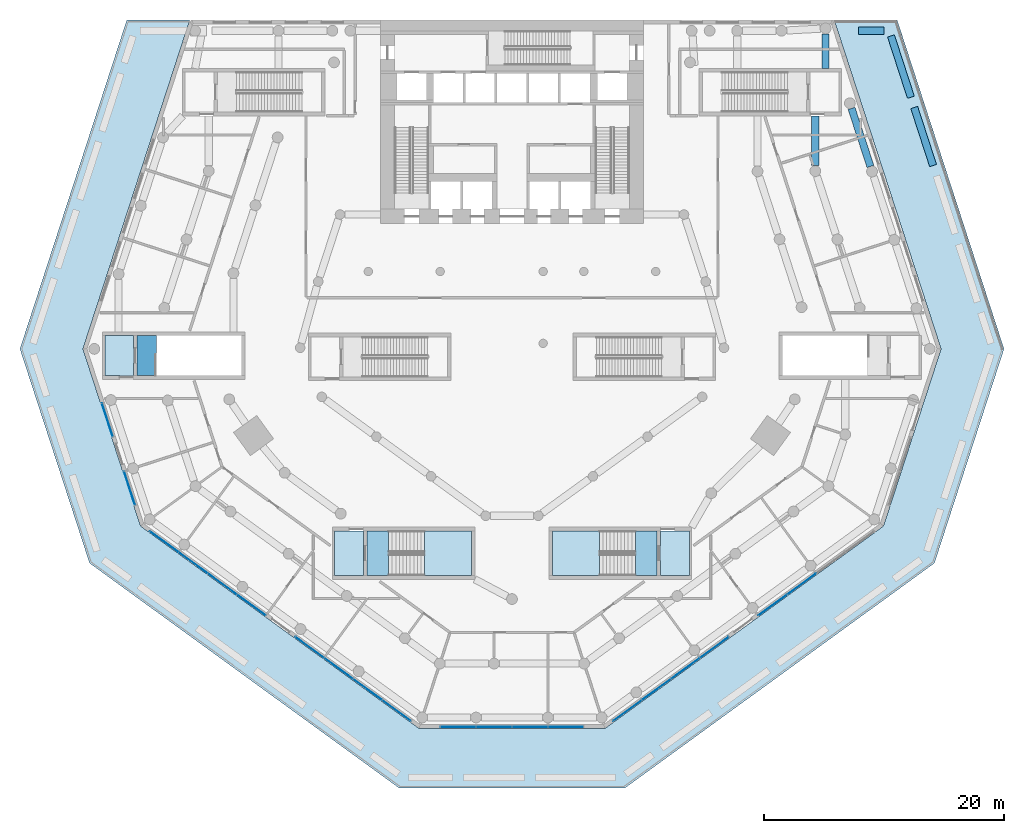
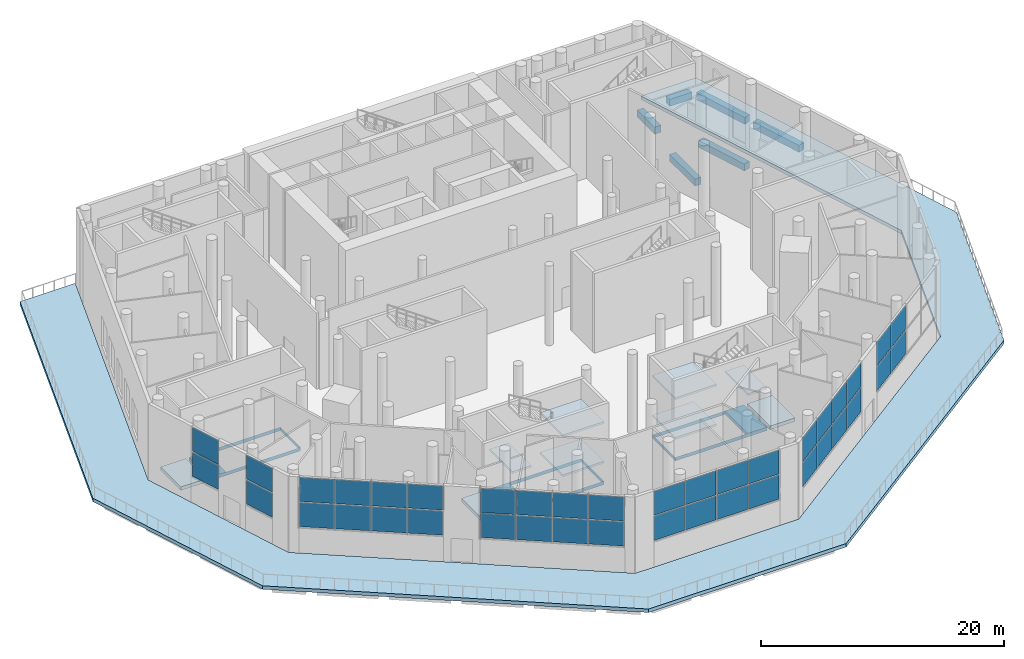
# One storey, part 9 of 23: 40 plates, 13 slabs, 6 beams, 9 elements without a shape of their own.
"""IFC4 building model written with IfcOpenShell, lengths in metres."""

from ifc_helpers import new_model, si_unit, direction, frame, origin, origin_2d, place, context, subcontext, project, spatial, polyline, rectangle, outline, extrude, material, layer, layer_set, material_profile, profile_set, type_object, element, aggregate, save


model = new_model("IFC4")

# Units and contexts
model_context = context("Model", 3, precision=1e-05, world=origin(), true_north=direction((0.0, 1.0)))
body_context = subcontext(model_context, "Body", "Model", "MODEL_VIEW")
ifc_project = project(units=[si_unit("LENGTHUNIT", "METRE"), si_unit("AREAUNIT", "SQUARE_METRE"), si_unit("VOLUMEUNIT", "CUBIC_METRE"), si_unit("PLANEANGLEUNIT", "RADIAN"), si_unit("MASSUNIT", "GRAM", prefix="KILO")], contexts=[model_context])

# Site, building, storey
site_placement = place(None, origin())
site = spatial("IfcSite", under=ifc_project, at=site_placement, CompositionType="ELEMENT")
building_placement = place(site_placement, origin())
building = spatial("IfcBuilding", under=site, at=building_placement, Name="White Candle Pilgrim Tower", CompositionType="ELEMENT")
storey_placement = place(building_placement, frame((0.0, 0.0, 15.0)))
storey = spatial("IfcBuildingStorey", under=building, at=storey_placement, Name="L02", CompositionType="ELEMENT", Elevation=15.0)

# Beams
ifc_material_1 = material(Name="Concrete C50/60", Category="concrete")
ifc_material_profile = material_profile(ifc_material_1, rectangle(XDim=0.60009765625, YDim=0.699951171875, at=origin_2d()), Name="RC-BM 600x700")
ifc_profile_set = profile_set([ifc_material_profile], Name="Concrete C50/60")
beam_type = type_object("IfcBeamType", Name="Spandrel beam RC-BM 600x700 C50/60", PredefinedType="BEAM", material=ifc_profile_set)
beam_1_placement = place(storey_placement, frame((105.159912109375, 75.845703125, -0.699951171875), z_axis=(-0.308995149369, 0.95106361389, 0.0), x_axis=(-0.95106361389, -0.308995149369, 0.0)))
element("IfcBeam", 1, at=beam_1_placement, inside=storey, type_object=beam_type, Name="L02 spandrel beam A25", PredefinedType="BEAM", context=body_context, shape_type="SweptSolid", body=[
    extrude(rectangle(XDim=0.60009765625, YDim=0.699951171875, at=origin_2d()), origin(), (0.0, 0.0, 1.0), 5.10009765625),
])
beam_2_placement = place(storey_placement, frame((103.305908203125, 81.5517578125, -0.699951171875), z_axis=(-0.308871752851, 0.951103695866, 0.0), x_axis=(-0.951103695866, -0.308871752851, 0.0)))
element("IfcBeam", 2, at=beam_2_placement, inside=storey, type_object=beam_type, Name="L02 spandrel beam A26", PredefinedType="BEAM", context=body_context, shape_type="SweptSolid", body=[
    extrude(rectangle(XDim=0.60009765625, YDim=0.699951171875, at=origin_2d()), origin(), (0.0, 0.0, 1.0), 5.383544921875),
])
beam_3_placement = place(storey_placement, frame((99.926025390625, 75.773681640625, -0.699951171875), z_axis=(-0.308995149369, 0.95106361389, 0.0), x_axis=(-0.95106361389, -0.308995149369, 0.0)))
element("IfcBeam", 3, at=beam_3_placement, inside=storey, type_object=beam_type, Name="L02 spandrel beam B21", PredefinedType="BEAM", context=body_context, shape_type="SweptSolid", body=[
    extrude(rectangle(XDim=0.60009765625, YDim=0.699951171875, at=origin_2d()), origin(), (0.0, 0.0, 1.0), 5.10009765625),
])
beam_4_placement = place(storey_placement, frame((96.180908203125, 86.85009765625, -0.699951171875), z_axis=(0.0, -1.0, 0.0), x_axis=(1.0, 0.0, 0.0)))
element("IfcBeam", 4, at=beam_4_placement, inside=storey, type_object=beam_type, Name="L02 spandrel beam B22", PredefinedType="BEAM", context=body_context, shape_type="SweptSolid", body=[
    extrude(rectangle(XDim=0.60009765625, YDim=0.699951171875, at=origin_2d()), origin(), (0.0, 0.0, 1.0), 2.900146484375),
])
beam_5_placement = place(storey_placement, frame((95.322021484375, 75.83203125, -0.699951171875), z_axis=(0.0, 1.0, 0.0), x_axis=(-1.0, 0.0, 0.0)))
element("IfcBeam", 5, at=beam_5_placement, inside=storey, type_object=beam_type, Name="L02 spandrel beam C18", PredefinedType="BEAM", context=body_context, shape_type="SweptSolid", body=[
    extrude(rectangle(XDim=0.60009765625, YDim=0.699951171875, at=origin_2d()), origin(), (0.0, 0.0, 1.0), 4.16796875),
])
beam_6_placement = place(storey_placement, frame((98.949951171875, 87.10009765625, -0.699951171875), z_axis=(1.0, 0.0, 0.0), x_axis=(0.0, 1.0, 0.0)))
element("IfcBeam", 6, at=beam_6_placement, inside=storey, type_object=beam_type, Name="L02 spandrel beam N08", PredefinedType="BEAM", context=body_context, shape_type="SweptSolid", body=[
    extrude(rectangle(XDim=0.60009765625, YDim=0.699951171875, at=origin_2d()), origin(), (0.0, 0.0, 1.0), 2.10400390625),
])

# Curtain wall, plates
ifc_material_2 = material(Name="Aluminium and glass", Category="aluminium")
curtain_wall_type = type_object("IfcCurtainWallType", Name="Curtain wall CW2 prayer hall clerestory", PredefinedType="NOTDEFINED", material=ifc_material_2)
curtain_wall_1_placement = place(storey_placement, origin())
curtain_wall_1 = element("IfcCurtainWall", 7, at=curtain_wall_1_placement, inside=storey, type_object=curtain_wall_type, Name="Curtain wall CW2 L02 W chamfer", PredefinedType="NOTDEFINED")
ifc_material_3 = material(Name="Glass, triple glazed", Category="glass")
ifc_layer_1 = layer(ifc_material_3, 0.035888671875)
ifc_layer_set_1 = layer_set([ifc_layer_1], Name="CW2 glazing panel 36")
plate_type = type_object("IfcPlateType", Name="CW2 glazing panel 36", PredefinedType="CURTAIN_PANEL", material=ifc_layer_set_1)
plate_1_placement = place(storey_placement, frame((36.21240234375, 54.598876953125, 2.60009765625), z_axis=(0.0, 0.0, 1.0), x_axis=(0.309017000251, -0.951056514386, 0.0)))
plate_1 = element("IfcPlate", 8, at=plate_1_placement, type_object=plate_type, Name="CW2 panel 1.1", PredefinedType="CURTAIN_PANEL", context=body_context, shape_type="SweptSolid", body=[
    extrude(rectangle(XDim=2.89990234375, YDim=0.035888671875, at=origin_2d()), origin(), (0.0, 0.0, 1.0), 2.425048828125),
])
plate_2_placement = place(storey_placement, frame((36.21240234375, 54.598876953125, 5.125), z_axis=(0.0, 0.0, 1.0), x_axis=(0.309017000251, -0.951056514386, 0.0)))
plate_2 = element("IfcPlate", 9, at=plate_2_placement, type_object=plate_type, Name="CW2 panel 1.2", PredefinedType="CURTAIN_PANEL", context=body_context, shape_type="SweptSolid", body=[
    extrude(rectangle(XDim=2.89990234375, YDim=0.035888671875, at=origin_2d()), origin(), (0.0, 0.0, 1.0), 2.425048828125),
])
aggregate(curtain_wall_1, [plate_1, plate_2])

curtain_wall_2_placement = place(storey_placement, origin())
curtain_wall_2 = element("IfcCurtainWall", 10, at=curtain_wall_2_placement, inside=storey, type_object=curtain_wall_type, Name="Curtain wall CW2 L02 W chamfer", PredefinedType="NOTDEFINED")
plate_3_placement = place(storey_placement, frame((38.066650390625, 48.892578125, 2.60009765625), z_axis=(0.0, 0.0, 1.0), x_axis=(0.309017000035, -0.951056514456, 0.0)))
plate_3 = element("IfcPlate", 11, at=plate_3_placement, type_object=plate_type, Name="CW2 panel 1.1", PredefinedType="CURTAIN_PANEL", context=body_context, shape_type="SweptSolid", body=[
    extrude(rectangle(XDim=2.89990234375, YDim=0.035888671875, at=origin_2d()), origin(), (0.0, 0.0, 1.0), 2.425048828125),
])
plate_4_placement = place(storey_placement, frame((38.066650390625, 48.892578125, 5.125), z_axis=(0.0, 0.0, 1.0), x_axis=(0.309017000035, -0.951056514456, 0.0)))
plate_4 = element("IfcPlate", 12, at=plate_4_placement, type_object=plate_type, Name="CW2 panel 1.2", PredefinedType="CURTAIN_PANEL", context=body_context, shape_type="SweptSolid", body=[
    extrude(rectangle(XDim=2.89990234375, YDim=0.035888671875, at=origin_2d()), origin(), (0.0, 0.0, 1.0), 2.425048828125),
])
aggregate(curtain_wall_2, [plate_3, plate_4])

curtain_wall_3_placement = place(storey_placement, origin())
curtain_wall_3 = element("IfcCurtainWall", 13, at=curtain_wall_3_placement, inside=storey, type_object=curtain_wall_type, Name="Curtain wall CW2 L02 SW", PredefinedType="NOTDEFINED")
plate_5_placement = place(storey_placement, frame((40.9638671875, 44.429443359375, 2.60009765625), z_axis=(0.0, 0.0, 1.0), x_axis=(0.809016996478, -0.587785249398, 0.0)))
plate_5 = element("IfcPlate", 14, at=plate_5_placement, type_object=plate_type, Name="CW2 panel 1.1", PredefinedType="CURTAIN_PANEL", context=body_context, shape_type="SweptSolid", body=[
    extrude(rectangle(XDim=2.925048828125, YDim=0.035888671875, at=origin_2d()), origin(), (0.0, 0.0, 1.0), 2.425048828125),
])
plate_6_placement = place(storey_placement, frame((40.9638671875, 44.429443359375, 5.125), z_axis=(0.0, 0.0, 1.0), x_axis=(0.809016996478, -0.587785249398, 0.0)))
plate_6 = element("IfcPlate", 15, at=plate_6_placement, type_object=plate_type, Name="CW2 panel 1.2", PredefinedType="CURTAIN_PANEL", context=body_context, shape_type="SweptSolid", body=[
    extrude(rectangle(XDim=2.925048828125, YDim=0.035888671875, at=origin_2d()), origin(), (0.0, 0.0, 1.0), 2.425048828125),
])
plate_7_placement = place(storey_placement, frame((43.380615234375, 42.67333984375, 2.60009765625), z_axis=(0.0, 0.0, 1.0), x_axis=(0.809016996478, -0.587785249398, 0.0)))
plate_7 = element("IfcPlate", 16, at=plate_7_placement, type_object=plate_type, Name="CW2 panel 2.1", PredefinedType="CURTAIN_PANEL", context=body_context, shape_type="SweptSolid", body=[
    extrude(rectangle(XDim=2.949951171875, YDim=0.035888671875, at=origin_2d()), origin(), (0.0, 0.0, 1.0), 2.425048828125),
])
plate_8_placement = place(storey_placement, frame((43.380615234375, 42.67333984375, 5.125), z_axis=(0.0, 0.0, 1.0), x_axis=(0.809016996478, -0.587785249398, 0.0)))
plate_8 = element("IfcPlate", 17, at=plate_8_placement, type_object=plate_type, Name="CW2 panel 2.2", PredefinedType="CURTAIN_PANEL", context=body_context, shape_type="SweptSolid", body=[
    extrude(rectangle(XDim=2.949951171875, YDim=0.035888671875, at=origin_2d()), origin(), (0.0, 0.0, 1.0), 2.425048828125),
])
plate_9_placement = place(storey_placement, frame((45.807861328125, 40.91015625, 2.60009765625), z_axis=(0.0, 0.0, 1.0), x_axis=(0.809016996478, -0.587785249398, 0.0)))
plate_9 = element("IfcPlate", 18, at=plate_9_placement, type_object=plate_type, Name="CW2 panel 3.1", PredefinedType="CURTAIN_PANEL", context=body_context, shape_type="SweptSolid", body=[
    extrude(rectangle(XDim=2.949951171875, YDim=0.035888671875, at=origin_2d()), origin(), (0.0, 0.0, 1.0), 2.425048828125),
])
plate_10_placement = place(storey_placement, frame((45.807861328125, 40.91015625, 5.125), z_axis=(0.0, 0.0, 1.0), x_axis=(0.809016996478, -0.587785249398, 0.0)))
plate_10 = element("IfcPlate", 19, at=plate_10_placement, type_object=plate_type, Name="CW2 panel 3.2", PredefinedType="CURTAIN_PANEL", context=body_context, shape_type="SweptSolid", body=[
    extrude(rectangle(XDim=2.949951171875, YDim=0.035888671875, at=origin_2d()), origin(), (0.0, 0.0, 1.0), 2.425048828125),
])
plate_11_placement = place(storey_placement, frame((48.224609375, 39.154052734375, 2.60009765625), z_axis=(0.0, 0.0, 1.0), x_axis=(0.809016996478, -0.587785249398, 0.0)))
plate_11 = element("IfcPlate", 20, at=plate_11_placement, type_object=plate_type, Name="CW2 panel 4.1", PredefinedType="CURTAIN_PANEL", context=body_context, shape_type="SweptSolid", body=[
    extrude(rectangle(XDim=2.925048828125, YDim=0.035888671875, at=origin_2d()), origin(), (0.0, 0.0, 1.0), 2.425048828125),
])
plate_12_placement = place(storey_placement, frame((48.224609375, 39.154052734375, 5.125), z_axis=(0.0, 0.0, 1.0), x_axis=(0.809016996478, -0.587785249398, 0.0)))
plate_12 = element("IfcPlate", 21, at=plate_12_placement, type_object=plate_type, Name="CW2 panel 4.2", PredefinedType="CURTAIN_PANEL", context=body_context, shape_type="SweptSolid", body=[
    extrude(rectangle(XDim=2.925048828125, YDim=0.035888671875, at=origin_2d()), origin(), (0.0, 0.0, 1.0), 2.425048828125),
])
aggregate(curtain_wall_3, [plate_5, plate_6, plate_7, plate_8, plate_9, plate_10, plate_11, plate_12])

curtain_wall_4_placement = place(storey_placement, origin())
curtain_wall_4 = element("IfcCurtainWall", 22, at=curtain_wall_4_placement, inside=storey, type_object=curtain_wall_type, Name="Curtain wall CW2 L02 SW", PredefinedType="NOTDEFINED")
plate_13_placement = place(storey_placement, frame((53.09912109375, 35.612548828125, 2.60009765625), z_axis=(0.0, 0.0, 1.0), x_axis=(0.809016996519, -0.587785249341, 0.0)))
plate_13 = element("IfcPlate", 23, at=plate_13_placement, type_object=plate_type, Name="CW2 panel 1.1", PredefinedType="CURTAIN_PANEL", context=body_context, shape_type="SweptSolid", body=[
    extrude(rectangle(XDim=2.925048828125, YDim=0.035888671875, at=origin_2d()), origin(), (0.0, 0.0, 1.0), 2.425048828125),
])
plate_14_placement = place(storey_placement, frame((53.09912109375, 35.612548828125, 5.125), z_axis=(0.0, 0.0, 1.0), x_axis=(0.809016996519, -0.587785249341, 0.0)))
plate_14 = element("IfcPlate", 24, at=plate_14_placement, type_object=plate_type, Name="CW2 panel 1.2", PredefinedType="CURTAIN_PANEL", context=body_context, shape_type="SweptSolid", body=[
    extrude(rectangle(XDim=2.925048828125, YDim=0.035888671875, at=origin_2d()), origin(), (0.0, 0.0, 1.0), 2.425048828125),
])
plate_15_placement = place(storey_placement, frame((55.515869140625, 33.856689453125, 2.60009765625), z_axis=(0.0, 0.0, 1.0), x_axis=(0.809016996519, -0.587785249341, 0.0)))
plate_15 = element("IfcPlate", 25, at=plate_15_placement, type_object=plate_type, Name="CW2 panel 2.1", PredefinedType="CURTAIN_PANEL", context=body_context, shape_type="SweptSolid", body=[
    extrude(rectangle(XDim=2.949951171875, YDim=0.035888671875, at=origin_2d()), origin(), (0.0, 0.0, 1.0), 2.425048828125),
])
plate_16_placement = place(storey_placement, frame((55.515869140625, 33.856689453125, 5.125), z_axis=(0.0, 0.0, 1.0), x_axis=(0.809016996519, -0.587785249341, 0.0)))
plate_16 = element("IfcPlate", 26, at=plate_16_placement, type_object=plate_type, Name="CW2 panel 2.2", PredefinedType="CURTAIN_PANEL", context=body_context, shape_type="SweptSolid", body=[
    extrude(rectangle(XDim=2.949951171875, YDim=0.035888671875, at=origin_2d()), origin(), (0.0, 0.0, 1.0), 2.425048828125),
])
plate_17_placement = place(storey_placement, frame((57.943115234375, 32.09326171875, 2.60009765625), z_axis=(0.0, 0.0, 1.0), x_axis=(0.809016996519, -0.587785249341, 0.0)))
plate_17 = element("IfcPlate", 27, at=plate_17_placement, type_object=plate_type, Name="CW2 panel 3.1", PredefinedType="CURTAIN_PANEL", context=body_context, shape_type="SweptSolid", body=[
    extrude(rectangle(XDim=2.949951171875, YDim=0.035888671875, at=origin_2d()), origin(), (0.0, 0.0, 1.0), 2.425048828125),
])
plate_18_placement = place(storey_placement, frame((57.943115234375, 32.09326171875, 5.125), z_axis=(0.0, 0.0, 1.0), x_axis=(0.809016996519, -0.587785249341, 0.0)))
plate_18 = element("IfcPlate", 28, at=plate_18_placement, type_object=plate_type, Name="CW2 panel 3.2", PredefinedType="CURTAIN_PANEL", context=body_context, shape_type="SweptSolid", body=[
    extrude(rectangle(XDim=2.949951171875, YDim=0.035888671875, at=origin_2d()), origin(), (0.0, 0.0, 1.0), 2.425048828125),
])
plate_19_placement = place(storey_placement, frame((60.35986328125, 30.337158203125, 2.60009765625), z_axis=(0.0, 0.0, 1.0), x_axis=(0.809016996519, -0.587785249341, 0.0)))
plate_19 = element("IfcPlate", 29, at=plate_19_placement, type_object=plate_type, Name="CW2 panel 4.1", PredefinedType="CURTAIN_PANEL", context=body_context, shape_type="SweptSolid", body=[
    extrude(rectangle(XDim=2.925048828125, YDim=0.035888671875, at=origin_2d()), origin(), (0.0, 0.0, 1.0), 2.425048828125),
])
plate_20_placement = place(storey_placement, frame((60.35986328125, 30.337158203125, 5.125), z_axis=(0.0, 0.0, 1.0), x_axis=(0.809016996519, -0.587785249341, 0.0)))
plate_20 = element("IfcPlate", 30, at=plate_20_placement, type_object=plate_type, Name="CW2 panel 4.2", PredefinedType="CURTAIN_PANEL", context=body_context, shape_type="SweptSolid", body=[
    extrude(rectangle(XDim=2.925048828125, YDim=0.035888671875, at=origin_2d()), origin(), (0.0, 0.0, 1.0), 2.425048828125),
])
aggregate(curtain_wall_4, [plate_13, plate_14, plate_15, plate_16, plate_17, plate_18, plate_19, plate_20])

curtain_wall_5_placement = place(storey_placement, origin())
curtain_wall_5 = element("IfcCurtainWall", 31, at=curtain_wall_5_placement, inside=storey, type_object=curtain_wall_type, Name="Curtain wall CW2 L02 S chamfer", PredefinedType="NOTDEFINED")
plate_21_placement = place(storey_placement, frame((65.512451171875, 28.961181640625, 2.60009765625), z_axis=(0.0, 0.0, 1.0), x_axis=(1.0, 0.0, 0.0)))
plate_21 = element("IfcPlate", 32, at=plate_21_placement, type_object=plate_type, Name="CW2 panel 1.1", PredefinedType="CURTAIN_PANEL", context=body_context, shape_type="SweptSolid", body=[
    extrude(rectangle(XDim=2.925048828125, YDim=0.035888671875, at=origin_2d()), origin(), (0.0, 0.0, 1.0), 2.425048828125),
])
plate_22_placement = place(storey_placement, frame((65.512451171875, 28.961181640625, 5.125), z_axis=(0.0, 0.0, 1.0), x_axis=(1.0, 0.0, 0.0)))
plate_22 = element("IfcPlate", 33, at=plate_22_placement, type_object=plate_type, Name="CW2 panel 1.2", PredefinedType="CURTAIN_PANEL", context=body_context, shape_type="SweptSolid", body=[
    extrude(rectangle(XDim=2.925048828125, YDim=0.035888671875, at=origin_2d()), origin(), (0.0, 0.0, 1.0), 2.425048828125),
])
plate_23_placement = place(storey_placement, frame((68.5, 28.961181640625, 2.60009765625), z_axis=(0.0, 0.0, 1.0), x_axis=(1.0, 0.0, 0.0)))
plate_23 = element("IfcPlate", 34, at=plate_23_placement, type_object=plate_type, Name="CW2 panel 2.1", PredefinedType="CURTAIN_PANEL", context=body_context, shape_type="SweptSolid", body=[
    extrude(rectangle(XDim=2.949951171875, YDim=0.035888671875, at=origin_2d()), origin(), (0.0, 0.0, 1.0), 2.425048828125),
])
plate_24_placement = place(storey_placement, frame((68.5, 28.961181640625, 5.125), z_axis=(0.0, 0.0, 1.0), x_axis=(1.0, 0.0, 0.0)))
plate_24 = element("IfcPlate", 35, at=plate_24_placement, type_object=plate_type, Name="CW2 panel 2.2", PredefinedType="CURTAIN_PANEL", context=body_context, shape_type="SweptSolid", body=[
    extrude(rectangle(XDim=2.949951171875, YDim=0.035888671875, at=origin_2d()), origin(), (0.0, 0.0, 1.0), 2.425048828125),
])
plate_25_placement = place(storey_placement, frame((71.5, 28.961181640625, 2.60009765625), z_axis=(0.0, 0.0, 1.0), x_axis=(1.0, 0.0, 0.0)))
plate_25 = element("IfcPlate", 36, at=plate_25_placement, type_object=plate_type, Name="CW2 panel 3.1", PredefinedType="CURTAIN_PANEL", context=body_context, shape_type="SweptSolid", body=[
    extrude(rectangle(XDim=2.949951171875, YDim=0.035888671875, at=origin_2d()), origin(), (0.0, 0.0, 1.0), 2.425048828125),
])
plate_26_placement = place(storey_placement, frame((71.5, 28.961181640625, 5.125), z_axis=(0.0, 0.0, 1.0), x_axis=(1.0, 0.0, 0.0)))
plate_26 = element("IfcPlate", 37, at=plate_26_placement, type_object=plate_type, Name="CW2 panel 3.2", PredefinedType="CURTAIN_PANEL", context=body_context, shape_type="SweptSolid", body=[
    extrude(rectangle(XDim=2.949951171875, YDim=0.035888671875, at=origin_2d()), origin(), (0.0, 0.0, 1.0), 2.425048828125),
])
plate_27_placement = place(storey_placement, frame((74.487548828125, 28.961181640625, 2.60009765625), z_axis=(0.0, 0.0, 1.0), x_axis=(1.0, 0.0, 0.0)))
plate_27 = element("IfcPlate", 38, at=plate_27_placement, type_object=plate_type, Name="CW2 panel 4.1", PredefinedType="CURTAIN_PANEL", context=body_context, shape_type="SweptSolid", body=[
    extrude(rectangle(XDim=2.925048828125, YDim=0.035888671875, at=origin_2d()), origin(), (0.0, 0.0, 1.0), 2.425048828125),
])
plate_28_placement = place(storey_placement, frame((74.487548828125, 28.961181640625, 5.125), z_axis=(0.0, 0.0, 1.0), x_axis=(1.0, 0.0, 0.0)))
plate_28 = element("IfcPlate", 39, at=plate_28_placement, type_object=plate_type, Name="CW2 panel 4.2", PredefinedType="CURTAIN_PANEL", context=body_context, shape_type="SweptSolid", body=[
    extrude(rectangle(XDim=2.925048828125, YDim=0.035888671875, at=origin_2d()), origin(), (0.0, 0.0, 1.0), 2.425048828125),
])
aggregate(curtain_wall_5, [plate_21, plate_22, plate_23, plate_24, plate_25, plate_26, plate_27, plate_28])

curtain_wall_6_placement = place(storey_placement, origin())
curtain_wall_6 = element("IfcCurtainWall", 40, at=curtain_wall_6_placement, inside=storey, type_object=curtain_wall_type, Name="Curtain wall CW2 L02 SE", PredefinedType="NOTDEFINED")
plate_29_placement = place(storey_placement, frame((79.64013671875, 30.337158203125, 2.60009765625), z_axis=(0.0, 0.0, 1.0), x_axis=(0.809016996478, 0.587785249398, 0.0)))
plate_29 = element("IfcPlate", 41, at=plate_29_placement, type_object=plate_type, Name="CW2 panel 1.1", PredefinedType="CURTAIN_PANEL", context=body_context, shape_type="SweptSolid", body=[
    extrude(rectangle(XDim=2.925048828125, YDim=0.035888671875, at=origin_2d()), origin(), (0.0, 0.0, 1.0), 2.425048828125),
])
plate_30_placement = place(storey_placement, frame((79.64013671875, 30.337158203125, 5.125), z_axis=(0.0, 0.0, 1.0), x_axis=(0.809016996478, 0.587785249398, 0.0)))
plate_30 = element("IfcPlate", 42, at=plate_30_placement, type_object=plate_type, Name="CW2 panel 1.2", PredefinedType="CURTAIN_PANEL", context=body_context, shape_type="SweptSolid", body=[
    extrude(rectangle(XDim=2.925048828125, YDim=0.035888671875, at=origin_2d()), origin(), (0.0, 0.0, 1.0), 2.425048828125),
])
plate_31_placement = place(storey_placement, frame((82.056884765625, 32.09326171875, 2.60009765625), z_axis=(0.0, 0.0, 1.0), x_axis=(0.809016996478, 0.587785249398, 0.0)))
plate_31 = element("IfcPlate", 43, at=plate_31_placement, type_object=plate_type, Name="CW2 panel 2.1", PredefinedType="CURTAIN_PANEL", context=body_context, shape_type="SweptSolid", body=[
    extrude(rectangle(XDim=2.949951171875, YDim=0.035888671875, at=origin_2d()), origin(), (0.0, 0.0, 1.0), 2.425048828125),
])
plate_32_placement = place(storey_placement, frame((82.056884765625, 32.09326171875, 5.125), z_axis=(0.0, 0.0, 1.0), x_axis=(0.809016996478, 0.587785249398, 0.0)))
plate_32 = element("IfcPlate", 44, at=plate_32_placement, type_object=plate_type, Name="CW2 panel 2.2", PredefinedType="CURTAIN_PANEL", context=body_context, shape_type="SweptSolid", body=[
    extrude(rectangle(XDim=2.949951171875, YDim=0.035888671875, at=origin_2d()), origin(), (0.0, 0.0, 1.0), 2.425048828125),
])
plate_33_placement = place(storey_placement, frame((84.484130859375, 33.856689453125, 2.60009765625), z_axis=(0.0, 0.0, 1.0), x_axis=(0.809016996478, 0.587785249398, 0.0)))
plate_33 = element("IfcPlate", 45, at=plate_33_placement, type_object=plate_type, Name="CW2 panel 3.1", PredefinedType="CURTAIN_PANEL", context=body_context, shape_type="SweptSolid", body=[
    extrude(rectangle(XDim=2.949951171875, YDim=0.035888671875, at=origin_2d()), origin(), (0.0, 0.0, 1.0), 2.425048828125),
])
plate_34_placement = place(storey_placement, frame((84.484130859375, 33.856689453125, 5.125), z_axis=(0.0, 0.0, 1.0), x_axis=(0.809016996478, 0.587785249398, 0.0)))
plate_34 = element("IfcPlate", 46, at=plate_34_placement, type_object=plate_type, Name="CW2 panel 3.2", PredefinedType="CURTAIN_PANEL", context=body_context, shape_type="SweptSolid", body=[
    extrude(rectangle(XDim=2.949951171875, YDim=0.035888671875, at=origin_2d()), origin(), (0.0, 0.0, 1.0), 2.425048828125),
])
plate_35_placement = place(storey_placement, frame((86.90087890625, 35.612548828125, 2.60009765625), z_axis=(0.0, 0.0, 1.0), x_axis=(0.809016996478, 0.587785249398, 0.0)))
plate_35 = element("IfcPlate", 47, at=plate_35_placement, type_object=plate_type, Name="CW2 panel 4.1", PredefinedType="CURTAIN_PANEL", context=body_context, shape_type="SweptSolid", body=[
    extrude(rectangle(XDim=2.925048828125, YDim=0.035888671875, at=origin_2d()), origin(), (0.0, 0.0, 1.0), 2.425048828125),
])
plate_36_placement = place(storey_placement, frame((86.90087890625, 35.612548828125, 5.125), z_axis=(0.0, 0.0, 1.0), x_axis=(0.809016996478, 0.587785249398, 0.0)))
plate_36 = element("IfcPlate", 48, at=plate_36_placement, type_object=plate_type, Name="CW2 panel 4.2", PredefinedType="CURTAIN_PANEL", context=body_context, shape_type="SweptSolid", body=[
    extrude(rectangle(XDim=2.925048828125, YDim=0.035888671875, at=origin_2d()), origin(), (0.0, 0.0, 1.0), 2.425048828125),
])
aggregate(curtain_wall_6, [plate_29, plate_30, plate_31, plate_32, plate_33, plate_34, plate_35, plate_36])

curtain_wall_7_placement = place(storey_placement, origin())
curtain_wall_7 = element("IfcCurtainWall", 49, at=curtain_wall_7_placement, inside=storey, type_object=curtain_wall_type, Name="Curtain wall CW2 L02 SE", PredefinedType="NOTDEFINED")
plate_37_placement = place(storey_placement, frame((91.775390625, 39.154052734375, 2.60009765625), z_axis=(0.0, 0.0, 1.0), x_axis=(0.809016996519, 0.587785249341, 0.0)))
plate_37 = element("IfcPlate", 50, at=plate_37_placement, type_object=plate_type, Name="CW2 panel 1.1", PredefinedType="CURTAIN_PANEL", context=body_context, shape_type="SweptSolid", body=[
    extrude(rectangle(XDim=2.925048828125, YDim=0.035888671875, at=origin_2d()), origin(), (0.0, 0.0, 1.0), 2.425048828125),
])
plate_38_placement = place(storey_placement, frame((91.775390625, 39.154052734375, 5.125), z_axis=(0.0, 0.0, 1.0), x_axis=(0.809016996519, 0.587785249341, 0.0)))
plate_38 = element("IfcPlate", 51, at=plate_38_placement, type_object=plate_type, Name="CW2 panel 1.2", PredefinedType="CURTAIN_PANEL", context=body_context, shape_type="SweptSolid", body=[
    extrude(rectangle(XDim=2.925048828125, YDim=0.035888671875, at=origin_2d()), origin(), (0.0, 0.0, 1.0), 2.425048828125),
])
plate_39_placement = place(storey_placement, frame((94.192138671875, 40.91015625, 2.60009765625), z_axis=(0.0, 0.0, 1.0), x_axis=(0.809016996519, 0.587785249341, 0.0)))
plate_39 = element("IfcPlate", 52, at=plate_39_placement, type_object=plate_type, Name="CW2 panel 2.1", PredefinedType="CURTAIN_PANEL", context=body_context, shape_type="SweptSolid", body=[
    extrude(rectangle(XDim=2.949951171875, YDim=0.035888671875, at=origin_2d()), origin(), (0.0, 0.0, 1.0), 2.425048828125),
])
plate_40_placement = place(storey_placement, frame((94.192138671875, 40.91015625, 5.125), z_axis=(0.0, 0.0, 1.0), x_axis=(0.809016996519, 0.587785249341, 0.0)))
plate_40 = element("IfcPlate", 53, at=plate_40_placement, type_object=plate_type, Name="CW2 panel 2.2", PredefinedType="CURTAIN_PANEL", context=body_context, shape_type="SweptSolid", body=[
    extrude(rectangle(XDim=2.949951171875, YDim=0.035888671875, at=origin_2d()), origin(), (0.0, 0.0, 1.0), 2.425048828125),
])
aggregate(curtain_wall_7, [plate_37, plate_38, plate_39, plate_40])

# Slabs
ifc_material_4 = material(Name="Concrete C40/50", Category="concrete")
ifc_layer_2 = layer(ifc_material_4, 0.35009765625)
ifc_layer_set_2 = layer_set([ifc_layer_2], Name="Core floor slab 350 mm Concrete C40/50")
slab_type_1 = type_object("IfcSlabType", Name="Core floor slab 350 mm Concrete C40/50", PredefinedType="FLOOR", material=ifc_layer_set_2)
slab_1_placement = place(storey_placement, frame((0.0, 0.0, -0.35009765625)))
element("IfcSlab", 54, at=slab_1_placement, inside=storey, type_object=slab_type_1, Name="CF-L02-01", PredefinedType="FLOOR", context=body_context, shape_type="SweptSolid", body=[
    extrude(outline(polyline([(55.199951171875, 45.35009765625), (57.60009765625, 45.35009765625), (57.60009765625, 41.60009765625), (55.199951171875, 41.60009765625), (55.199951171875, 45.35009765625)])), origin(), (0.0, 0.0, 1.0), 0.35009765625),
])
slab_2_placement = place(storey_placement, frame((0.0, 0.0, -0.35009765625)))
element("IfcSlab", 55, at=slab_2_placement, inside=storey, type_object=slab_type_1, Name="CF-L02-02", PredefinedType="FLOOR", context=body_context, shape_type="SweptSolid", body=[
    extrude(outline(polyline([(57.89990234375, 45.35009765625), (66.60009765625, 45.35009765625), (66.60009765625, 41.60009765625), (57.89990234375, 41.60009765625), (57.89990234375, 45.35009765625)]), holes=[polyline([(66.597900390625, 45.347900390625), (59.701904296875, 45.347900390625), (59.701904296875, 41.60205078125), (66.597900390625, 41.60205078125), (66.597900390625, 45.347900390625)])]), origin(), (0.0, 0.0, 1.0), 0.35009765625),
])
slab_3_placement = place(storey_placement, frame((0.0, 0.0, -0.35009765625)))
element("IfcSlab", 56, at=slab_3_placement, inside=storey, type_object=slab_type_1, Name="CF-L02-05", PredefinedType="FLOOR", context=body_context, shape_type="SweptSolid", body=[
    extrude(outline(polyline([(36.0, 61.64990234375), (38.39990234375, 61.64990234375), (38.39990234375, 58.300048828125), (36.0, 58.300048828125), (36.0, 61.64990234375)])), origin(), (0.0, 0.0, 1.0), 0.35009765625),
])
slab_4_placement = place(storey_placement, frame((0.0, 0.0, -0.35009765625)))
element("IfcSlab", 57, at=slab_4_placement, inside=storey, type_object=slab_type_1, Name="CF-L02-06", PredefinedType="FLOOR", context=body_context, shape_type="SweptSolid", body=[
    extrude(outline(polyline([(47.39990234375, 61.64990234375), (47.39990234375, 58.300048828125), (38.699951171875, 58.300048828125), (38.699951171875, 61.64990234375), (47.39990234375, 61.64990234375)]), holes=[polyline([(47.39794921875, 61.64794921875), (40.302001953125, 61.64794921875), (40.302001953125, 58.302001953125), (47.39794921875, 58.302001953125), (47.39794921875, 61.64794921875)])]), origin(), (0.0, 0.0, 1.0), 0.35009765625),
])
slab_5_placement = place(storey_placement, frame((0.0, 0.0, -0.35009765625)))
element("IfcSlab", 58, at=slab_5_placement, inside=storey, type_object=slab_type_1, Name="CF-L02-15", PredefinedType="FLOOR", context=body_context, shape_type="SweptSolid", body=[
    extrude(outline(polyline([(82.10009765625, 41.60009765625), (73.39990234375, 41.60009765625), (73.39990234375, 45.35009765625), (82.10009765625, 45.35009765625), (82.10009765625, 41.60009765625)]), holes=[polyline([(73.402099609375, 41.60205078125), (80.298095703125, 41.60205078125), (80.298095703125, 45.347900390625), (73.402099609375, 45.347900390625), (73.402099609375, 41.60205078125)])]), origin(), (0.0, 0.0, 1.0), 0.35009765625),
])
slab_6_placement = place(storey_placement, frame((0.0, 0.0, -0.35009765625)))
element("IfcSlab", 59, at=slab_6_placement, inside=storey, type_object=slab_type_1, Name="CF-L02-16", PredefinedType="FLOOR", context=body_context, shape_type="SweptSolid", body=[
    extrude(outline(polyline([(84.800048828125, 41.60009765625), (82.39990234375, 41.60009765625), (82.39990234375, 45.35009765625), (84.800048828125, 45.35009765625), (84.800048828125, 41.60009765625)])), origin(), (0.0, 0.0, 1.0), 0.35009765625),
])

# Stair, slabs
stair_type_1 = type_object("IfcStairType", Name="Exit stair 6 flight width 1800 mm", PredefinedType="HALF_TURN_STAIR", material=ifc_material_4)
stair_1_placement = place(storey_placement, origin())
stair_1 = element("IfcStair", 60, at=stair_1_placement, inside=storey, type_object=stair_type_1, Name="L02 stair 6", PredefinedType="NOTDEFINED")
ifc_layer_3 = layer(ifc_material_4, 0.199951171875)
ifc_layer_set_3 = layer_set([ifc_layer_3], Name="Stair landing Concrete C40/50")
slab_type_2 = type_object("IfcSlabType", Name="Stair landing Concrete C40/50", PredefinedType="LANDING", material=ifc_layer_set_3)
slab_7_placement = place(storey_placement, frame((0.0, 0.0, 1.800048828125)))
slab_7 = element("IfcSlab", 61, at=slab_7_placement, type_object=slab_type_2, Name="ST6 landing 1", PredefinedType="LANDING", context=body_context, shape_type="SweptSolid", body=[
    extrude(outline(polyline([(62.697998046875, 41.597900390625), (62.697998046875, 45.35205078125), (66.60205078125, 45.35205078125), (66.60205078125, 41.597900390625), (62.697998046875, 41.597900390625)])), origin(), (0.0, 0.0, 1.0), 0.199951171875),
])
slab_8_placement = place(storey_placement, frame((0.0, 0.0, 3.800048828125)))
slab_8 = element("IfcSlab", 62, at=slab_8_placement, type_object=slab_type_2, Name="ST6 landing 2", PredefinedType="LANDING", context=body_context, shape_type="SweptSolid", body=[
    extrude(outline(polyline([(57.89794921875, 41.597900390625), (57.89794921875, 45.35205078125), (59.701904296875, 45.35205078125), (59.701904296875, 41.597900390625), (57.89794921875, 41.597900390625)])), origin(), (0.0, 0.0, 1.0), 0.199951171875),
])
slab_9_placement = place(storey_placement, frame((0.0, 0.0, 5.800048828125)))
slab_9 = element("IfcSlab", 63, at=slab_9_placement, type_object=slab_type_2, Name="ST6 landing 3", PredefinedType="LANDING", context=body_context, shape_type="SweptSolid", body=[
    extrude(outline(polyline([(62.697998046875, 41.597900390625), (62.697998046875, 45.35205078125), (66.60205078125, 45.35205078125), (66.60205078125, 41.597900390625), (62.697998046875, 41.597900390625)])), origin(), (0.0, 0.0, 1.0), 0.199951171875),
])
aggregate(stair_1, [slab_7, slab_8, slab_9])

stair_type_2 = type_object("IfcStairType", Name="Exit stair 7 flight width 1800 mm", PredefinedType="HALF_TURN_STAIR", material=ifc_material_4)
stair_2_placement = place(storey_placement, origin())
stair_2 = element("IfcStair", 64, at=stair_2_placement, inside=storey, type_object=stair_type_2, Name="L02 stair 7", PredefinedType="NOTDEFINED")
slab_10_placement = place(storey_placement, frame((0.0, 0.0, 1.800048828125)))
slab_10 = element("IfcSlab", 65, at=slab_10_placement, type_object=slab_type_2, Name="ST7 landing 1", PredefinedType="LANDING", context=body_context, shape_type="SweptSolid", body=[
    extrude(outline(polyline([(77.302001953125, 45.35205078125), (77.302001953125, 41.597900390625), (73.39794921875, 41.597900390625), (73.39794921875, 45.35205078125), (77.302001953125, 45.35205078125)])), origin(), (0.0, 0.0, 1.0), 0.199951171875),
])
slab_11_placement = place(storey_placement, frame((0.0, 0.0, 3.800048828125)))
slab_11 = element("IfcSlab", 66, at=slab_11_placement, type_object=slab_type_2, Name="ST7 landing 2", PredefinedType="LANDING", context=body_context, shape_type="SweptSolid", body=[
    extrude(outline(polyline([(82.10205078125, 45.35205078125), (82.10205078125, 41.597900390625), (80.298095703125, 41.597900390625), (80.298095703125, 45.35205078125), (82.10205078125, 45.35205078125)])), origin(), (0.0, 0.0, 1.0), 0.199951171875),
])
slab_12_placement = place(storey_placement, frame((0.0, 0.0, 5.800048828125)))
slab_12 = element("IfcSlab", 67, at=slab_12_placement, type_object=slab_type_2, Name="ST7 landing 3", PredefinedType="LANDING", context=body_context, shape_type="SweptSolid", body=[
    extrude(outline(polyline([(77.302001953125, 45.35205078125), (77.302001953125, 41.597900390625), (73.39794921875, 41.597900390625), (73.39794921875, 45.35205078125), (77.302001953125, 45.35205078125)])), origin(), (0.0, 0.0, 1.0), 0.199951171875),
])
aggregate(stair_2, [slab_10, slab_11, slab_12])

# Slab
ifc_layer_4 = layer(ifc_material_4, 0.35009765625)
ifc_layer_set_4 = layer_set([ifc_layer_4], Name="Terrace deck 350 REI 240")
slab_type_3 = type_object("IfcSlabType", Name="Terrace deck 350 REI 240", PredefinedType="FLOOR", material=ifc_layer_set_4)
slab_13_placement = place(storey_placement, frame((0.0, 0.0, -0.35009765625)))
element("IfcSlab", 68, at=slab_13_placement, inside=storey, type_object=slab_type_3, Name="L02 terrace deck 01", PredefinedType="FLOOR", context=body_context, shape_type="SweptSolid", body=[
    extrude(outline(polyline([(60.596923828125, 23.861083984375), (79.403076171875, 23.861083984375), (105.268798828125, 42.653564453125), (111.080078125, 60.539306640625), (102.157470703125, 88.0), (96.900146484375, 88.0), (105.82275390625, 60.539306640625), (101.015380859375, 45.743896484375), (77.7783203125, 28.861083984375), (62.2216796875, 28.861083984375), (38.984619140625, 45.743896484375), (34.17724609375, 60.539306640625), (43.099853515625, 88.0), (37.842529296875, 88.0), (28.919921875, 60.539306640625), (34.731201171875, 42.653564453125), (60.596923828125, 23.861083984375)])), origin(), (0.0, 0.0, 1.0), 0.35009765625),
])

save(model, "model.ifc")
